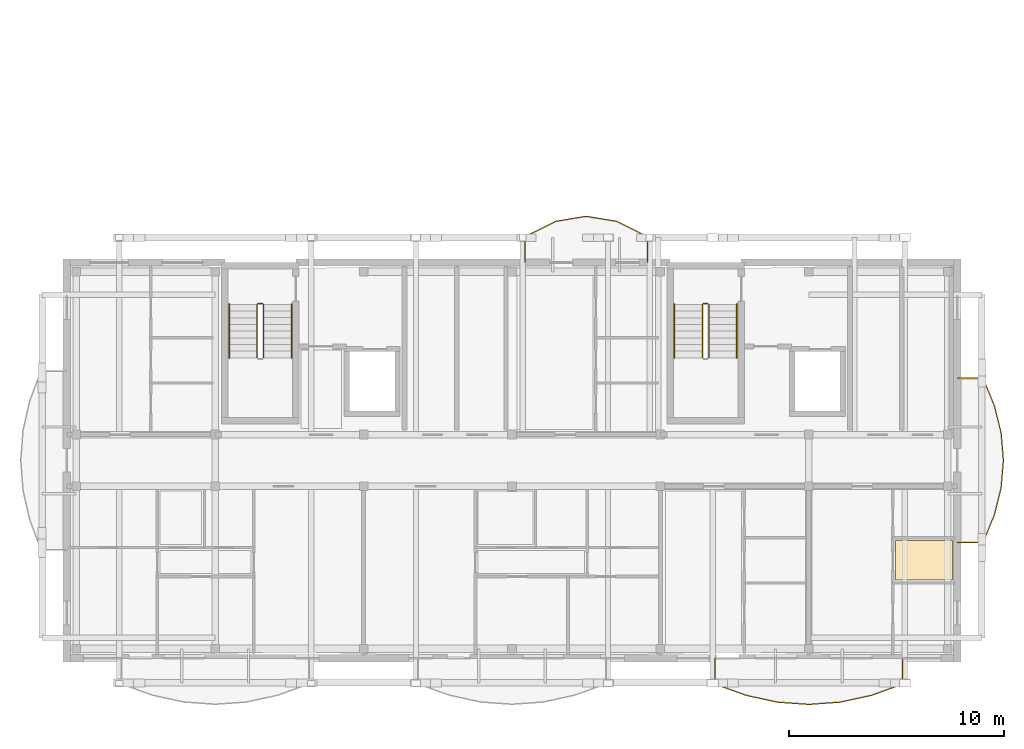
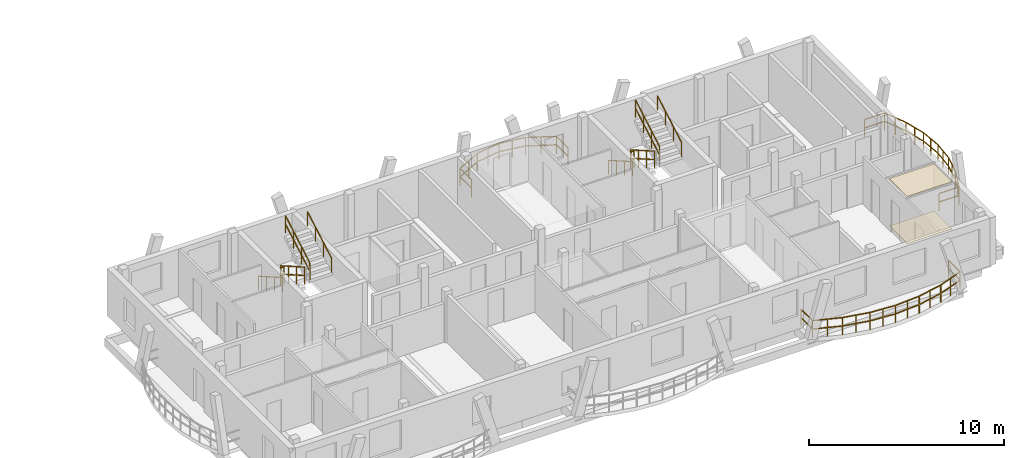
# One storey, part 16 of 18: 13 railings, 2 coverings.
"""IFC4 building model written with IfcOpenShell, lengths in metres."""

from ifc_helpers import new_model, si_unit, direction, frame, origin, origin_2d, place, context, subcontext, project, spatial, polyline, rectangle, outline, extrude, material, layer, layer_set, type_object, element, save


model = new_model("IFC4")

# Units and contexts
model_context = context("Model", 3, precision=1e-05, world=origin(), true_north=direction((0.0, 1.0)))
body_context = subcontext(model_context, "Body", "Model", "MODEL_VIEW")
ifc_project = project(units=[si_unit("LENGTHUNIT", "METRE"), si_unit("AREAUNIT", "SQUARE_METRE"), si_unit("VOLUMEUNIT", "CUBIC_METRE"), si_unit("PLANEANGLEUNIT", "RADIAN"), si_unit("MASSUNIT", "GRAM", prefix="KILO")], contexts=[model_context])

# Site, building, storey
site_placement = place(None, origin())
site = spatial("IfcSite", under=ifc_project, at=site_placement, CompositionType="ELEMENT")
building_placement = place(site_placement, origin())
building = spatial("IfcBuilding", under=site, at=building_placement, Name="Zavelmont Quarter", CompositionType="ELEMENT")
storey_placement = place(building_placement, frame((0.0, 0.0, 40.0)))
storey = spatial("IfcBuildingStorey", under=building, at=storey_placement, Name="L12", CompositionType="ELEMENT", Elevation=40.0)

# Coverings
ifc_material_1 = material(Name="Moisture-resistant painted gypsum ceiling")
ifc_layer_1 = layer(ifc_material_1, 0.02001953125)
ifc_layer_set_1 = layer_set([ifc_layer_1], Name="Moisture-resistant painted gypsum ceiling")
covering_type_1 = type_object("IfcCoveringType", Name="CV-CL04", PredefinedType="CEILING", material=ifc_layer_set_1)
covering_1_placement = place(storey_placement, frame((0.0, 0.0, 2.949951171875)))
element("IfcCovering", 1, at=covering_1_placement, inside=storey, type_object=covering_type_1, Name="L12 Bathroom acoustic ceiling", PredefinedType="CEILING", context=body_context, shape_type="SweptSolid", body=[
    extrude(outline(polyline([(38.530029296875, 5.469970703125), (41.169921875, 5.469970703125), (41.169921875, 3.6298828125), (38.530029296875, 3.6298828125), (38.530029296875, 5.469970703125)])), origin(), (0.0, 0.0, 1.0), 0.02001953125),
])
ifc_material_2 = material(Name="Slip-resistant porcelain tile")
ifc_layer_2 = layer(ifc_material_2, 0.02587890625)
ifc_layer_set_2 = layer_set([ifc_layer_2], Name="Slip-resistant porcelain tile")
covering_type_2 = type_object("IfcCoveringType", Name="CV-FL04", PredefinedType="FLOORING", material=ifc_layer_set_2)
covering_2_placement = place(storey_placement, origin())
element("IfcCovering", 2, at=covering_2_placement, inside=storey, type_object=covering_type_2, Name="L12 Bathroom floor finish", PredefinedType="FLOORING", context=body_context, shape_type="SweptSolid", body=[
    extrude(outline(polyline([(38.530029296875, 5.469970703125), (41.169921875, 5.469970703125), (41.169921875, 3.6298828125), (38.530029296875, 3.6298828125), (38.530029296875, 5.469970703125)])), origin(), (0.0, 0.0, 1.0), 0.02587890625),
])

# Railings
ifc_material_3 = material(Name="Powder-coated steel and tempered double safety glass", Category="steel")
railing_type_1 = type_object("IfcRailingType", Name="RL-BAL1", PredefinedType="BALUSTRADE", material=ifc_material_3)
railing_1_placement = place(storey_placement, frame((30.135009765625, -0.02001953125, 0.0)))
element("IfcRailing", 3, at=railing_1_placement, inside=storey, type_object=railing_type_1, Name="L12 Block A curved balcony guard RL-BAL1", PredefinedType="BALUSTRADE", context=body_context, shape_type="SweptSolid", body=[
    extrude(rectangle(XDim=0.048095703125, YDim=0.048095703125, at=origin_2d()), frame((0.0, 0.0, 1.076171875), z_axis=(0.0, -1.0, 0.0), x_axis=(1.0, 0.0, 0.0)), (0.0, 0.0, 1.0), 1.18408203125),
    extrude(rectangle(XDim=0.048095703125, YDim=0.048095703125, at=origin_2d()), frame((0.0, 0.0, 0.550048828125), z_axis=(0.0, -1.0, 0.0), x_axis=(1.0, 0.0, 0.0)), (0.0, 0.0, 1.0), 1.18408203125),
    extrude(rectangle(XDim=0.048095703125, YDim=0.048095703125, at=origin_2d()), frame((0.0, -1.18408203125, 1.076171875), z_axis=(0.940565102283, -0.339613439616, 0.0), x_axis=(0.339613439616, 0.940565102283, 0.0)), (0.0, 0.0, 1.0), 1.547119140625),
    extrude(rectangle(XDim=0.048095703125, YDim=0.048095703125, at=origin_2d()), frame((0.0, -1.18408203125, 0.550048828125), z_axis=(0.940565102283, -0.339613439616, 0.0), x_axis=(0.339613439616, 0.940565102283, 0.0)), (0.0, 0.0, 1.0), 1.547119140625),
    extrude(rectangle(XDim=0.048095703125, YDim=0.048095703125, at=origin_2d()), frame((1.455078125, -1.70947265625, 1.076171875), z_axis=(0.977293149339, -0.211891718232, 0.0), x_axis=(0.211891718232, 0.977293149339, 0.0)), (0.0, 0.0, 1.0), 1.488525390625),
    extrude(rectangle(XDim=0.048095703125, YDim=0.048095703125, at=origin_2d()), frame((1.455078125, -1.70947265625, 0.550048828125), z_axis=(0.977293149339, -0.211891718232, 0.0), x_axis=(0.211891718232, 0.977293149339, 0.0)), (0.0, 0.0, 1.0), 1.488525390625),
    extrude(rectangle(XDim=0.048095703125, YDim=0.048095703125, at=origin_2d()), frame((2.909912109375, -2.02490234375, 1.076171875), z_axis=(0.997407474969, -0.071960606416, 0.0), x_axis=(0.071960606416, 0.997407474969, 0.0)), (0.0, 0.0, 1.0), 1.458740234375),
    extrude(rectangle(XDim=0.048095703125, YDim=0.048095703125, at=origin_2d()), frame((2.909912109375, -2.02490234375, 0.550048828125), z_axis=(0.997407474969, -0.071960606416, 0.0), x_axis=(0.071960606416, 0.997407474969, 0.0)), (0.0, 0.0, 1.0), 1.458740234375),
    extrude(rectangle(XDim=0.048095703125, YDim=0.048095703125, at=origin_2d()), frame((4.364990234375, -2.1298828125, 1.076171875), z_axis=(0.997407474969, 0.071960606416, 0.0), x_axis=(-0.071960606416, 0.997407474969, 0.0)), (0.0, 0.0, 1.0), 1.458740234375),
    extrude(rectangle(XDim=0.048095703125, YDim=0.048095703125, at=origin_2d()), frame((4.364990234375, -2.1298828125, 0.550048828125), z_axis=(0.997407474969, 0.071960606416, 0.0), x_axis=(-0.071960606416, 0.997407474969, 0.0)), (0.0, 0.0, 1.0), 1.458740234375),
    extrude(rectangle(XDim=0.048095703125, YDim=0.048095703125, at=origin_2d()), frame((5.820068359375, -2.02490234375, 1.076171875), z_axis=(0.977293149339, 0.211891718232, 0.0), x_axis=(-0.211891718232, 0.977293149339, 0.0)), (0.0, 0.0, 1.0), 1.488525390625),
    extrude(rectangle(XDim=0.048095703125, YDim=0.048095703125, at=origin_2d()), frame((5.820068359375, -2.02490234375, 0.550048828125), z_axis=(0.977293149339, 0.211891718232, 0.0), x_axis=(-0.211891718232, 0.977293149339, 0.0)), (0.0, 0.0, 1.0), 1.488525390625),
    extrude(rectangle(XDim=0.048095703125, YDim=0.048095703125, at=origin_2d()), frame((7.27490234375, -1.70947265625, 1.076171875), z_axis=(0.940565102283, 0.339613439616, 0.0), x_axis=(-0.339613439616, 0.940565102283, 0.0)), (0.0, 0.0, 1.0), 1.547119140625),
    extrude(rectangle(XDim=0.048095703125, YDim=0.048095703125, at=origin_2d()), frame((7.27490234375, -1.70947265625, 0.550048828125), z_axis=(0.940565102283, 0.339613439616, 0.0), x_axis=(-0.339613439616, 0.940565102283, 0.0)), (0.0, 0.0, 1.0), 1.547119140625),
    extrude(rectangle(XDim=0.048095703125, YDim=0.048095703125, at=origin_2d()), frame((8.72998046875, -1.18408203125, 1.076171875), z_axis=(0.0, 1.0, 0.0), x_axis=(-1.0, 0.0, 0.0)), (0.0, 0.0, 1.0), 1.18408203125),
    extrude(rectangle(XDim=0.048095703125, YDim=0.048095703125, at=origin_2d()), frame((8.72998046875, -1.18408203125, 0.550048828125), z_axis=(0.0, 1.0, 0.0), x_axis=(-1.0, 0.0, 0.0)), (0.0, 0.0, 1.0), 1.18408203125),
    extrude(rectangle(XDim=0.0419921875, YDim=0.0419921875, at=origin_2d()), origin(), (0.0, 0.0, 1.0), 1.052001953125),
    extrude(rectangle(XDim=0.0419921875, YDim=0.0419921875, at=origin_2d()), frame((0.0, -1.18408203125, 0.0)), (0.0, 0.0, 1.0), 1.052001953125),
    extrude(rectangle(XDim=0.0419921875, YDim=0.0419921875, at=origin_2d()), frame((0.7275390625, -1.44677734375, 0.0)), (0.0, 0.0, 1.0), 1.052001953125),
    extrude(rectangle(XDim=0.0419921875, YDim=0.0419921875, at=origin_2d()), frame((1.455078125, -1.70947265625, 0.0)), (0.0, 0.0, 1.0), 1.052001953125),
    extrude(rectangle(XDim=0.0419921875, YDim=0.0419921875, at=origin_2d()), frame((2.1826171875, -1.8671875, 0.0)), (0.0, 0.0, 1.0), 1.052001953125),
    extrude(rectangle(XDim=0.0419921875, YDim=0.0419921875, at=origin_2d()), frame((2.909912109375, -2.02490234375, 0.0)), (0.0, 0.0, 1.0), 1.052001953125),
    extrude(rectangle(XDim=0.0419921875, YDim=0.0419921875, at=origin_2d()), frame((3.637451171875, -2.077392578125, 0.0)), (0.0, 0.0, 1.0), 1.052001953125),
    extrude(rectangle(XDim=0.0419921875, YDim=0.0419921875, at=origin_2d()), frame((4.364990234375, -2.1298828125, 0.0)), (0.0, 0.0, 1.0), 1.052001953125),
    extrude(rectangle(XDim=0.0419921875, YDim=0.0419921875, at=origin_2d()), frame((5.092529296875, -2.077392578125, 0.0)), (0.0, 0.0, 1.0), 1.052001953125),
    extrude(rectangle(XDim=0.0419921875, YDim=0.0419921875, at=origin_2d()), frame((5.820068359375, -2.02490234375, 0.0)), (0.0, 0.0, 1.0), 1.052001953125),
    extrude(rectangle(XDim=0.0419921875, YDim=0.0419921875, at=origin_2d()), frame((6.54736328125, -1.8671875, 0.0)), (0.0, 0.0, 1.0), 1.052001953125),
    extrude(rectangle(XDim=0.0419921875, YDim=0.0419921875, at=origin_2d()), frame((7.27490234375, -1.70947265625, 0.0)), (0.0, 0.0, 1.0), 1.052001953125),
    extrude(rectangle(XDim=0.0419921875, YDim=0.0419921875, at=origin_2d()), frame((8.00244140625, -1.44677734375, 0.0)), (0.0, 0.0, 1.0), 1.052001953125),
    extrude(rectangle(XDim=0.0419921875, YDim=0.0419921875, at=origin_2d()), frame((8.72998046875, -1.18408203125, 0.0)), (0.0, 0.0, 1.0), 1.052001953125),
    extrude(rectangle(XDim=0.0419921875, YDim=0.0419921875, at=origin_2d()), frame((8.72998046875, 0.0, 0.0)), (0.0, 0.0, 1.0), 1.052001953125),
])
railing_2_placement = place(storey_placement, frame((41.419921875, 5.38330078125, 0.0)))
element("IfcRailing", 4, at=railing_2_placement, inside=storey, type_object=railing_type_1, Name="L12 Block A curved balcony guard RL-BAL1", PredefinedType="BALUSTRADE", context=body_context, shape_type="SweptSolid", body=[
    extrude(rectangle(XDim=0.048095703125, YDim=0.048095703125, at=origin_2d()), frame((0.0, 0.0, 1.076171875), z_axis=(1.0, 0.0, 0.0), x_axis=(0.0, 1.0, 0.0)), (0.0, 0.0, 1.0), 1.18408203125),
    extrude(rectangle(XDim=0.048095703125, YDim=0.048095703125, at=origin_2d()), frame((0.0, 0.0, 0.550048828125), z_axis=(1.0, 0.0, 0.0), x_axis=(0.0, 1.0, 0.0)), (0.0, 0.0, 1.0), 1.18408203125),
    extrude(rectangle(XDim=0.048095703125, YDim=0.048095703125, at=origin_2d()), frame((1.18408203125, 0.0, 1.076171875), z_axis=(0.381855670341, 0.924221968484, 0.0), x_axis=(-0.924221968484, 0.381855670341, 0.0)), (0.0, 0.0, 1.0), 1.37646484375),
    extrude(rectangle(XDim=0.048095703125, YDim=0.048095703125, at=origin_2d()), frame((1.18408203125, 0.0, 0.550048828125), z_axis=(0.381855670341, 0.924221968484, 0.0), x_axis=(-0.924221968484, 0.381855670341, 0.0)), (0.0, 0.0, 1.0), 1.37646484375),
    extrude(rectangle(XDim=0.048095703125, YDim=0.048095703125, at=origin_2d()), frame((1.709716796875, 1.272216796875, 1.076171875), z_axis=(0.240475146301, 0.970655296185, 0.0), x_axis=(-0.970655296185, 0.240475146301, 0.0)), (0.0, 0.0, 1.0), 1.310791015625),
    extrude(rectangle(XDim=0.048095703125, YDim=0.048095703125, at=origin_2d()), frame((1.709716796875, 1.272216796875, 0.550048828125), z_axis=(0.240475146301, 0.970655296185, 0.0), x_axis=(-0.970655296185, 0.240475146301, 0.0)), (0.0, 0.0, 1.0), 1.310791015625),
    extrude(rectangle(XDim=0.048095703125, YDim=0.048095703125, at=origin_2d()), frame((2.02490234375, 2.54443359375, 1.076171875), z_axis=(0.082428192237, 0.996597006379, 0.0), x_axis=(-0.996597006379, 0.082428192237, 0.0)), (0.0, 0.0, 1.0), 1.276611328125),
    extrude(rectangle(XDim=0.048095703125, YDim=0.048095703125, at=origin_2d()), frame((2.02490234375, 2.54443359375, 0.550048828125), z_axis=(0.082428192237, 0.996597006379, 0.0), x_axis=(-0.996597006379, 0.082428192237, 0.0)), (0.0, 0.0, 1.0), 1.276611328125),
    extrude(rectangle(XDim=0.048095703125, YDim=0.048095703125, at=origin_2d()), frame((2.130126953125, 3.816650390625, 1.076171875), z_axis=(-0.082428192237, 0.996597006379, 0.0), x_axis=(-0.996597006379, -0.082428192237, 0.0)), (0.0, 0.0, 1.0), 1.276611328125),
    extrude(rectangle(XDim=0.048095703125, YDim=0.048095703125, at=origin_2d()), frame((2.130126953125, 3.816650390625, 0.550048828125), z_axis=(-0.082428192237, 0.996597006379, 0.0), x_axis=(-0.996597006379, -0.082428192237, 0.0)), (0.0, 0.0, 1.0), 1.276611328125),
    extrude(rectangle(XDim=0.048095703125, YDim=0.048095703125, at=origin_2d()), frame((2.02490234375, 5.0888671875, 1.076171875), z_axis=(-0.240475146301, 0.970655296185, 0.0), x_axis=(-0.970655296185, -0.240475146301, 0.0)), (0.0, 0.0, 1.0), 1.310791015625),
    extrude(rectangle(XDim=0.048095703125, YDim=0.048095703125, at=origin_2d()), frame((2.02490234375, 5.0888671875, 0.550048828125), z_axis=(-0.240475146301, 0.970655296185, 0.0), x_axis=(-0.970655296185, -0.240475146301, 0.0)), (0.0, 0.0, 1.0), 1.310791015625),
    extrude(rectangle(XDim=0.048095703125, YDim=0.048095703125, at=origin_2d()), frame((1.709716796875, 6.361083984375, 1.076171875), z_axis=(-0.381855670341, 0.924221968484, 0.0), x_axis=(-0.924221968484, -0.381855670341, 0.0)), (0.0, 0.0, 1.0), 1.37646484375),
    extrude(rectangle(XDim=0.048095703125, YDim=0.048095703125, at=origin_2d()), frame((1.709716796875, 6.361083984375, 0.550048828125), z_axis=(-0.381855670341, 0.924221968484, 0.0), x_axis=(-0.924221968484, -0.381855670341, 0.0)), (0.0, 0.0, 1.0), 1.37646484375),
    extrude(rectangle(XDim=0.048095703125, YDim=0.048095703125, at=origin_2d()), frame((1.18408203125, 7.63330078125, 1.076171875), z_axis=(-1.0, 0.0, 0.0), x_axis=(0.0, -1.0, 0.0)), (0.0, 0.0, 1.0), 1.18408203125),
    extrude(rectangle(XDim=0.048095703125, YDim=0.048095703125, at=origin_2d()), frame((1.18408203125, 7.63330078125, 0.550048828125), z_axis=(-1.0, 0.0, 0.0), x_axis=(0.0, -1.0, 0.0)), (0.0, 0.0, 1.0), 1.18408203125),
    extrude(rectangle(XDim=0.0419921875, YDim=0.0419921875, at=origin_2d()), origin(), (0.0, 0.0, 1.0), 1.052001953125),
    extrude(rectangle(XDim=0.0419921875, YDim=0.0419921875, at=origin_2d()), frame((1.18408203125, 0.0, 0.0)), (0.0, 0.0, 1.0), 1.052001953125),
    extrude(rectangle(XDim=0.0419921875, YDim=0.0419921875, at=origin_2d()), frame((1.44677734375, 0.63623046875, 0.0)), (0.0, 0.0, 1.0), 1.052001953125),
    extrude(rectangle(XDim=0.0419921875, YDim=0.0419921875, at=origin_2d()), frame((1.709716796875, 1.272216796875, 0.0)), (0.0, 0.0, 1.0), 1.052001953125),
    extrude(rectangle(XDim=0.0419921875, YDim=0.0419921875, at=origin_2d()), frame((1.8671875, 1.908203125, 0.0)), (0.0, 0.0, 1.0), 1.052001953125),
    extrude(rectangle(XDim=0.0419921875, YDim=0.0419921875, at=origin_2d()), frame((2.02490234375, 2.54443359375, 0.0)), (0.0, 0.0, 1.0), 1.052001953125),
    extrude(rectangle(XDim=0.0419921875, YDim=0.0419921875, at=origin_2d()), frame((2.07763671875, 3.1806640625, 0.0)), (0.0, 0.0, 1.0), 1.052001953125),
    extrude(rectangle(XDim=0.0419921875, YDim=0.0419921875, at=origin_2d()), frame((2.130126953125, 3.816650390625, 0.0)), (0.0, 0.0, 1.0), 1.052001953125),
    extrude(rectangle(XDim=0.0419921875, YDim=0.0419921875, at=origin_2d()), frame((2.07763671875, 4.45263671875, 0.0)), (0.0, 0.0, 1.0), 1.052001953125),
    extrude(rectangle(XDim=0.0419921875, YDim=0.0419921875, at=origin_2d()), frame((2.02490234375, 5.0888671875, 0.0)), (0.0, 0.0, 1.0), 1.052001953125),
    extrude(rectangle(XDim=0.0419921875, YDim=0.0419921875, at=origin_2d()), frame((1.8671875, 5.72509765625, 0.0)), (0.0, 0.0, 1.0), 1.052001953125),
    extrude(rectangle(XDim=0.0419921875, YDim=0.0419921875, at=origin_2d()), frame((1.709716796875, 6.361083984375, 0.0)), (0.0, 0.0, 1.0), 1.052001953125),
    extrude(rectangle(XDim=0.0419921875, YDim=0.0419921875, at=origin_2d()), frame((1.44677734375, 6.9970703125, 0.0)), (0.0, 0.0, 1.0), 1.052001953125),
    extrude(rectangle(XDim=0.0419921875, YDim=0.0419921875, at=origin_2d()), frame((1.18408203125, 7.63330078125, 0.0)), (0.0, 0.0, 1.0), 1.052001953125),
    extrude(rectangle(XDim=0.0419921875, YDim=0.0419921875, at=origin_2d()), frame((0.0, 7.63330078125, 0.0)), (0.0, 0.0, 1.0), 1.052001953125),
])
railing_3_placement = place(storey_placement, frame((27.0, 18.419921875, 0.0)))
element("IfcRailing", 5, at=railing_3_placement, inside=storey, type_object=railing_type_1, Name="L12 Block A curved balcony guard RL-BAL1", PredefinedType="BALUSTRADE", context=body_context, shape_type="SweptSolid", body=[
    extrude(rectangle(XDim=0.048095703125, YDim=0.048095703125, at=origin_2d()), frame((0.0, 0.0, 1.076171875), z_axis=(0.0, 1.0, 0.0), x_axis=(-1.0, 0.0, 0.0)), (0.0, 0.0, 1.0), 1.18408203125),
    extrude(rectangle(XDim=0.048095703125, YDim=0.048095703125, at=origin_2d()), frame((0.0, 0.0, 0.550048828125), z_axis=(0.0, 1.0, 0.0), x_axis=(-1.0, 0.0, 0.0)), (0.0, 0.0, 1.0), 1.18408203125),
    extrude(rectangle(XDim=0.048095703125, YDim=0.048095703125, at=origin_2d()), frame((0.0, 1.18408203125, 1.076171875), z_axis=(-0.895192702167, 0.44567928602, 0.0), x_axis=(-0.44567928602, -0.895192702167, 0.0)), (0.0, 0.0, 1.0), 1.591796875),
    extrude(rectangle(XDim=0.048095703125, YDim=0.048095703125, at=origin_2d()), frame((0.0, 1.18408203125, 0.550048828125), z_axis=(-0.895192702167, 0.44567928602, 0.0), x_axis=(-0.44567928602, -0.895192702167, 0.0)), (0.0, 0.0, 1.0), 1.591796875),
    extrude(rectangle(XDim=0.048095703125, YDim=0.048095703125, at=origin_2d()), frame((-1.425048828125, 1.8935546875, 1.076171875), z_axis=(-0.986498781348, 0.163768600159, 0.0), x_axis=(-0.163768600159, -0.986498781348, 0.0)), (0.0, 0.0, 1.0), 1.444580078125),
    extrude(rectangle(XDim=0.048095703125, YDim=0.048095703125, at=origin_2d()), frame((-1.425048828125, 1.8935546875, 0.550048828125), z_axis=(-0.986498781348, 0.163768600159, 0.0), x_axis=(-0.163768600159, -0.986498781348, 0.0)), (0.0, 0.0, 1.0), 1.444580078125),
    extrude(rectangle(XDim=0.048095703125, YDim=0.048095703125, at=origin_2d()), frame((-2.85009765625, 2.130126953125, 1.076171875), z_axis=(-0.986494247398, -0.163795909138, 0.0), x_axis=(0.163795909138, -0.986494247398, 0.0)), (0.0, 0.0, 1.0), 1.4443359375),
    extrude(rectangle(XDim=0.048095703125, YDim=0.048095703125, at=origin_2d()), frame((-2.85009765625, 2.130126953125, 0.550048828125), z_axis=(-0.986494247398, -0.163795909138, 0.0), x_axis=(0.163795909138, -0.986494247398, 0.0)), (0.0, 0.0, 1.0), 1.4443359375),
    extrude(rectangle(XDim=0.048095703125, YDim=0.048095703125, at=origin_2d()), frame((-4.27490234375, 1.8935546875, 1.076171875), z_axis=(-0.895192702167, -0.44567928602, 0.0), x_axis=(0.44567928602, -0.895192702167, 0.0)), (0.0, 0.0, 1.0), 1.591796875),
    extrude(rectangle(XDim=0.048095703125, YDim=0.048095703125, at=origin_2d()), frame((-4.27490234375, 1.8935546875, 0.550048828125), z_axis=(-0.895192702167, -0.44567928602, 0.0), x_axis=(0.44567928602, -0.895192702167, 0.0)), (0.0, 0.0, 1.0), 1.591796875),
    extrude(rectangle(XDim=0.048095703125, YDim=0.048095703125, at=origin_2d()), frame((-5.699951171875, 1.18408203125, 1.076171875), z_axis=(0.0, -1.0, 0.0), x_axis=(1.0, 0.0, 0.0)), (0.0, 0.0, 1.0), 1.18408203125),
    extrude(rectangle(XDim=0.048095703125, YDim=0.048095703125, at=origin_2d()), frame((-5.699951171875, 1.18408203125, 0.550048828125), z_axis=(0.0, -1.0, 0.0), x_axis=(1.0, 0.0, 0.0)), (0.0, 0.0, 1.0), 1.18408203125),
    extrude(rectangle(XDim=0.0419921875, YDim=0.0419921875, at=origin_2d()), origin(), (0.0, 0.0, 1.0), 1.052001953125),
    extrude(rectangle(XDim=0.0419921875, YDim=0.0419921875, at=origin_2d()), frame((0.0, 1.18408203125, 0.0)), (0.0, 0.0, 1.0), 1.052001953125),
    extrude(rectangle(XDim=0.0419921875, YDim=0.0419921875, at=origin_2d()), frame((-0.71240234375, 1.538818359375, 0.0)), (0.0, 0.0, 1.0), 1.052001953125),
    extrude(rectangle(XDim=0.0419921875, YDim=0.0419921875, at=origin_2d()), frame((-1.425048828125, 1.8935546875, 0.0)), (0.0, 0.0, 1.0), 1.052001953125),
    extrude(rectangle(XDim=0.0419921875, YDim=0.0419921875, at=origin_2d()), frame((-2.1376953125, 2.01171875, 0.0)), (0.0, 0.0, 1.0), 1.052001953125),
    extrude(rectangle(XDim=0.0419921875, YDim=0.0419921875, at=origin_2d()), frame((-2.85009765625, 2.130126953125, 0.0)), (0.0, 0.0, 1.0), 1.052001953125),
    extrude(rectangle(XDim=0.0419921875, YDim=0.0419921875, at=origin_2d()), frame((-3.5625, 2.01171875, 0.0)), (0.0, 0.0, 1.0), 1.052001953125),
    extrude(rectangle(XDim=0.0419921875, YDim=0.0419921875, at=origin_2d()), frame((-4.27490234375, 1.8935546875, 0.0)), (0.0, 0.0, 1.0), 1.052001953125),
    extrude(rectangle(XDim=0.0419921875, YDim=0.0419921875, at=origin_2d()), frame((-4.9873046875, 1.538818359375, 0.0)), (0.0, 0.0, 1.0), 1.052001953125),
    extrude(rectangle(XDim=0.0419921875, YDim=0.0419921875, at=origin_2d()), frame((-5.699951171875, 1.18408203125, 0.0)), (0.0, 0.0, 1.0), 1.052001953125),
    extrude(rectangle(XDim=0.0419921875, YDim=0.0419921875, at=origin_2d()), frame((-5.699951171875, 0.0, 0.0)), (0.0, 0.0, 1.0), 1.052001953125),
])
ifc_material_4 = material(Name="Powder-coated steel stair guardrail", Category="steel")
railing_type_2 = type_object("IfcRailingType", Name="RL-GRD1", PredefinedType="GUARDRAIL", material=ifc_material_4)
railing_4_placement = place(storey_placement, frame((8.85009765625, 16.449951171875, 0.177734375)))
element("IfcRailing", 6, at=railing_4_placement, inside=storey, type_object=railing_type_2, Name="L12 ST01 stair guardrail 1", PredefinedType="GUARDRAIL", context=body_context, shape_type="SweptSolid", body=[
    extrude(rectangle(XDim=0.048095703125, YDim=0.048095703125, at=origin_2d()), frame((0.0, 0.0, 1.076171875), z_axis=(0.0, -0.867453774394, 0.497517787913), x_axis=(1.0, 0.0, 0.0)), (0.0, 0.0, 1.0), 2.85888671875),
    extrude(rectangle(XDim=0.048095703125, YDim=0.048095703125, at=origin_2d()), frame((0.0, 0.0, 0.550048828125), z_axis=(0.0, -0.867453774394, 0.497517787913), x_axis=(1.0, 0.0, 0.0)), (0.0, 0.0, 1.0), 2.85888671875),
    extrude(rectangle(XDim=0.0419921875, YDim=0.0419921875, at=origin_2d()), origin(), (0.0, 0.0, 1.0), 1.052001953125),
    extrude(rectangle(XDim=0.0419921875, YDim=0.0419921875, at=origin_2d()), frame((0.0, -0.82666015625, 0.47412109375)), (0.0, 0.0, 1.0), 1.052001953125),
    extrude(rectangle(XDim=0.0419921875, YDim=0.0419921875, at=origin_2d()), frame((0.0, -1.6533203125, 0.9482421875)), (0.0, 0.0, 1.0), 1.052001953125),
    extrude(rectangle(XDim=0.0419921875, YDim=0.0419921875, at=origin_2d()), frame((0.0, -2.47998046875, 1.42236328125)), (0.0, 0.0, 1.0), 1.052001953125),
])
railing_5_placement = place(storey_placement, frame((9.14990234375, 13.969970703125, 1.77783203125)))
element("IfcRailing", 7, at=railing_5_placement, inside=storey, type_object=railing_type_2, Name="L12 ST01 stair guardrail 3", PredefinedType="GUARDRAIL", context=body_context, shape_type="SweptSolid", body=[
    extrude(rectangle(XDim=0.048095703125, YDim=0.048095703125, at=origin_2d()), frame((0.0, 0.0, 1.076171875), z_axis=(0.0, 0.867490628297, 0.497453525283), x_axis=(-1.0, 0.0, 0.0)), (0.0, 0.0, 1.0), 2.85888671875),
    extrude(rectangle(XDim=0.048095703125, YDim=0.048095703125, at=origin_2d()), frame((0.0, 0.0, 0.550048828125), z_axis=(0.0, 0.867490628297, 0.497453525283), x_axis=(-1.0, 0.0, 0.0)), (0.0, 0.0, 1.0), 2.85888671875),
    extrude(rectangle(XDim=0.0419921875, YDim=0.0419921875, at=origin_2d()), origin(), (0.0, 0.0, 1.0), 1.052001953125),
    extrude(rectangle(XDim=0.0419921875, YDim=0.0419921875, at=origin_2d()), frame((0.0, 0.82666015625, 0.47412109375)), (0.0, 0.0, 1.0), 1.052001953125),
    extrude(rectangle(XDim=0.0419921875, YDim=0.0419921875, at=origin_2d()), frame((0.0, 1.6533203125, 0.947998046875)), (0.0, 0.0, 1.0), 1.052001953125),
    extrude(rectangle(XDim=0.0419921875, YDim=0.0419921875, at=origin_2d()), frame((0.0, 2.47998046875, 1.422119140625)), (0.0, 0.0, 1.0), 1.052001953125),
])
railing_6_placement = place(storey_placement, frame((8.89990234375, 16.5, 0.0)))
element("IfcRailing", 8, at=railing_6_placement, inside=storey, type_object=railing_type_2, Name="L12 ST01 stair guardrail 4", PredefinedType="GUARDRAIL", context=body_context, shape_type="SweptSolid", body=[
    extrude(rectangle(XDim=0.048095703125, YDim=0.048095703125, at=origin_2d()), frame((0.0, 0.0, 1.076171875), z_axis=(1.0, 0.0, 0.0), x_axis=(0.0, 1.0, 0.0)), (0.0, 0.0, 1.0), 0.2001953125),
    extrude(rectangle(XDim=0.048095703125, YDim=0.048095703125, at=origin_2d()), frame((0.0, 0.0, 0.550048828125), z_axis=(1.0, 0.0, 0.0), x_axis=(0.0, 1.0, 0.0)), (0.0, 0.0, 1.0), 0.2001953125),
    extrude(rectangle(XDim=0.0419921875, YDim=0.0419921875, at=origin_2d()), origin(), (0.0, 0.0, 1.0), 1.052001953125),
    extrude(rectangle(XDim=0.0419921875, YDim=0.0419921875, at=origin_2d()), frame((0.2001953125, 0.0, 0.0)), (0.0, 0.0, 1.0), 1.052001953125),
])
railing_7_placement = place(storey_placement, frame((29.550048828125, 16.449951171875, 0.177734375)))
element("IfcRailing", 9, at=railing_7_placement, inside=storey, type_object=railing_type_2, Name="L12 ST02 stair guardrail 1", PredefinedType="GUARDRAIL", context=body_context, shape_type="SweptSolid", body=[
    extrude(rectangle(XDim=0.048095703125, YDim=0.048095703125, at=origin_2d()), frame((0.0, 0.0, 1.076171875), z_axis=(0.0, -0.867453774394, 0.497517787913), x_axis=(1.0, 0.0, 0.0)), (0.0, 0.0, 1.0), 2.85888671875),
    extrude(rectangle(XDim=0.048095703125, YDim=0.048095703125, at=origin_2d()), frame((0.0, 0.0, 0.550048828125), z_axis=(0.0, -0.867453774394, 0.497517787913), x_axis=(1.0, 0.0, 0.0)), (0.0, 0.0, 1.0), 2.85888671875),
    extrude(rectangle(XDim=0.0419921875, YDim=0.0419921875, at=origin_2d()), origin(), (0.0, 0.0, 1.0), 1.052001953125),
    extrude(rectangle(XDim=0.0419921875, YDim=0.0419921875, at=origin_2d()), frame((0.0, -0.82666015625, 0.47412109375)), (0.0, 0.0, 1.0), 1.052001953125),
    extrude(rectangle(XDim=0.0419921875, YDim=0.0419921875, at=origin_2d()), frame((0.0, -1.6533203125, 0.9482421875)), (0.0, 0.0, 1.0), 1.052001953125),
    extrude(rectangle(XDim=0.0419921875, YDim=0.0419921875, at=origin_2d()), frame((0.0, -2.47998046875, 1.42236328125)), (0.0, 0.0, 1.0), 1.052001953125),
])
railing_8_placement = place(storey_placement, frame((29.85009765625, 13.969970703125, 1.77783203125)))
element("IfcRailing", 10, at=railing_8_placement, inside=storey, type_object=railing_type_2, Name="L12 ST02 stair guardrail 3", PredefinedType="GUARDRAIL", context=body_context, shape_type="SweptSolid", body=[
    extrude(rectangle(XDim=0.048095703125, YDim=0.048095703125, at=origin_2d()), frame((0.0, 0.0, 1.076171875), z_axis=(0.0, 0.867490628297, 0.497453525283), x_axis=(-1.0, 0.0, 0.0)), (0.0, 0.0, 1.0), 2.85888671875),
    extrude(rectangle(XDim=0.048095703125, YDim=0.048095703125, at=origin_2d()), frame((0.0, 0.0, 0.550048828125), z_axis=(0.0, 0.867490628297, 0.497453525283), x_axis=(-1.0, 0.0, 0.0)), (0.0, 0.0, 1.0), 2.85888671875),
    extrude(rectangle(XDim=0.0419921875, YDim=0.0419921875, at=origin_2d()), origin(), (0.0, 0.0, 1.0), 1.052001953125),
    extrude(rectangle(XDim=0.0419921875, YDim=0.0419921875, at=origin_2d()), frame((0.0, 0.82666015625, 0.47412109375)), (0.0, 0.0, 1.0), 1.052001953125),
    extrude(rectangle(XDim=0.0419921875, YDim=0.0419921875, at=origin_2d()), frame((0.0, 1.6533203125, 0.947998046875)), (0.0, 0.0, 1.0), 1.052001953125),
    extrude(rectangle(XDim=0.0419921875, YDim=0.0419921875, at=origin_2d()), frame((0.0, 2.47998046875, 1.422119140625)), (0.0, 0.0, 1.0), 1.052001953125),
])
railing_9_placement = place(storey_placement, frame((29.60009765625, 16.5, 0.0)))
element("IfcRailing", 11, at=railing_9_placement, inside=storey, type_object=railing_type_2, Name="L12 ST02 stair guardrail 4", PredefinedType="GUARDRAIL", context=body_context, shape_type="SweptSolid", body=[
    extrude(rectangle(XDim=0.048095703125, YDim=0.048095703125, at=origin_2d()), frame((0.0, 0.0, 1.076171875), z_axis=(1.0, 0.0, 0.0), x_axis=(0.0, 1.0, 0.0)), (0.0, 0.0, 1.0), 0.199951171875),
    extrude(rectangle(XDim=0.048095703125, YDim=0.048095703125, at=origin_2d()), frame((0.0, 0.0, 0.550048828125), z_axis=(1.0, 0.0, 0.0), x_axis=(0.0, 1.0, 0.0)), (0.0, 0.0, 1.0), 0.199951171875),
    extrude(rectangle(XDim=0.0419921875, YDim=0.0419921875, at=origin_2d()), origin(), (0.0, 0.0, 1.0), 1.052001953125),
    extrude(rectangle(XDim=0.0419921875, YDim=0.0419921875, at=origin_2d()), frame((0.199951171875, 0.0, 0.0)), (0.0, 0.0, 1.0), 1.052001953125),
])
ifc_material_5 = material(Name="Brushed stainless-steel wall handrail", Category="steel")
railing_type_3 = type_object("IfcRailingType", Name="RL-HND1", PredefinedType="HANDRAIL", material=ifc_material_5)
railing_10_placement = place(storey_placement, frame((7.550048828125, 16.449951171875, 0.177734375)))
element("IfcRailing", 12, at=railing_10_placement, inside=storey, type_object=railing_type_3, Name="L12 ST01 stair handrail 1", PredefinedType="HANDRAIL", context=body_context, shape_type="SweptSolid", body=[
    extrude(rectangle(XDim=0.048095703125, YDim=0.048095703125, at=origin_2d()), frame((0.0, 0.0, 0.8759765625), z_axis=(0.0, -0.867453774394, 0.497517787913), x_axis=(1.0, 0.0, 0.0)), (0.0, 0.0, 1.0), 2.85888671875),
    extrude(rectangle(XDim=0.0419921875, YDim=0.0419921875, at=origin_2d()), origin(), (0.0, 0.0, 1.0), 0.851806640625),
    extrude(rectangle(XDim=0.0419921875, YDim=0.0419921875, at=origin_2d()), frame((0.0, -0.82666015625, 0.47412109375)), (0.0, 0.0, 1.0), 0.851806640625),
    extrude(rectangle(XDim=0.0419921875, YDim=0.0419921875, at=origin_2d()), frame((0.0, -1.6533203125, 0.9482421875)), (0.0, 0.0, 1.0), 0.851806640625),
    extrude(rectangle(XDim=0.0419921875, YDim=0.0419921875, at=origin_2d()), frame((0.0, -2.47998046875, 1.42236328125)), (0.0, 0.0, 1.0), 0.851806640625),
])
railing_11_placement = place(storey_placement, frame((10.449951171875, 13.969970703125, 1.77783203125)))
element("IfcRailing", 13, at=railing_11_placement, inside=storey, type_object=railing_type_3, Name="L12 ST01 stair handrail 2", PredefinedType="HANDRAIL", context=body_context, shape_type="SweptSolid", body=[
    extrude(rectangle(XDim=0.048095703125, YDim=0.048095703125, at=origin_2d()), frame((0.0, 0.0, 0.8759765625), z_axis=(0.0, 0.867490628297, 0.497453525283), x_axis=(-1.0, 0.0, 0.0)), (0.0, 0.0, 1.0), 2.85888671875),
    extrude(rectangle(XDim=0.0419921875, YDim=0.0419921875, at=origin_2d()), origin(), (0.0, 0.0, 1.0), 0.851806640625),
    extrude(rectangle(XDim=0.0419921875, YDim=0.0419921875, at=origin_2d()), frame((0.0, 0.82666015625, 0.47412109375)), (0.0, 0.0, 1.0), 0.851806640625),
    extrude(rectangle(XDim=0.0419921875, YDim=0.0419921875, at=origin_2d()), frame((0.0, 1.6533203125, 0.947998046875)), (0.0, 0.0, 1.0), 0.851806640625),
    extrude(rectangle(XDim=0.0419921875, YDim=0.0419921875, at=origin_2d()), frame((0.0, 2.47998046875, 1.422119140625)), (0.0, 0.0, 1.0), 0.851806640625),
])
railing_12_placement = place(storey_placement, frame((28.25, 16.449951171875, 0.177734375)))
element("IfcRailing", 14, at=railing_12_placement, inside=storey, type_object=railing_type_3, Name="L12 ST02 stair handrail 1", PredefinedType="HANDRAIL", context=body_context, shape_type="SweptSolid", body=[
    extrude(rectangle(XDim=0.048095703125, YDim=0.048095703125, at=origin_2d()), frame((0.0, 0.0, 0.8759765625), z_axis=(0.0, -0.867453774394, 0.497517787913), x_axis=(1.0, 0.0, 0.0)), (0.0, 0.0, 1.0), 2.85888671875),
    extrude(rectangle(XDim=0.0419921875, YDim=0.0419921875, at=origin_2d()), origin(), (0.0, 0.0, 1.0), 0.851806640625),
    extrude(rectangle(XDim=0.0419921875, YDim=0.0419921875, at=origin_2d()), frame((0.0, -0.82666015625, 0.47412109375)), (0.0, 0.0, 1.0), 0.851806640625),
    extrude(rectangle(XDim=0.0419921875, YDim=0.0419921875, at=origin_2d()), frame((0.0, -1.6533203125, 0.9482421875)), (0.0, 0.0, 1.0), 0.851806640625),
    extrude(rectangle(XDim=0.0419921875, YDim=0.0419921875, at=origin_2d()), frame((0.0, -2.47998046875, 1.42236328125)), (0.0, 0.0, 1.0), 0.851806640625),
])
railing_13_placement = place(storey_placement, frame((31.14990234375, 13.969970703125, 1.77783203125)))
element("IfcRailing", 15, at=railing_13_placement, inside=storey, type_object=railing_type_3, Name="L12 ST02 stair handrail 2", PredefinedType="HANDRAIL", context=body_context, shape_type="SweptSolid", body=[
    extrude(rectangle(XDim=0.048095703125, YDim=0.048095703125, at=origin_2d()), frame((0.0, 0.0, 0.8759765625), z_axis=(0.0, 0.867490628297, 0.497453525283), x_axis=(-1.0, 0.0, 0.0)), (0.0, 0.0, 1.0), 2.85888671875),
    extrude(rectangle(XDim=0.0419921875, YDim=0.0419921875, at=origin_2d()), origin(), (0.0, 0.0, 1.0), 0.851806640625),
    extrude(rectangle(XDim=0.0419921875, YDim=0.0419921875, at=origin_2d()), frame((0.0, 0.82666015625, 0.47412109375)), (0.0, 0.0, 1.0), 0.851806640625),
    extrude(rectangle(XDim=0.0419921875, YDim=0.0419921875, at=origin_2d()), frame((0.0, 1.6533203125, 0.947998046875)), (0.0, 0.0, 1.0), 0.851806640625),
    extrude(rectangle(XDim=0.0419921875, YDim=0.0419921875, at=origin_2d()), frame((0.0, 2.47998046875, 1.422119140625)), (0.0, 0.0, 1.0), 0.851806640625),
])

save(model, "model.ifc")
